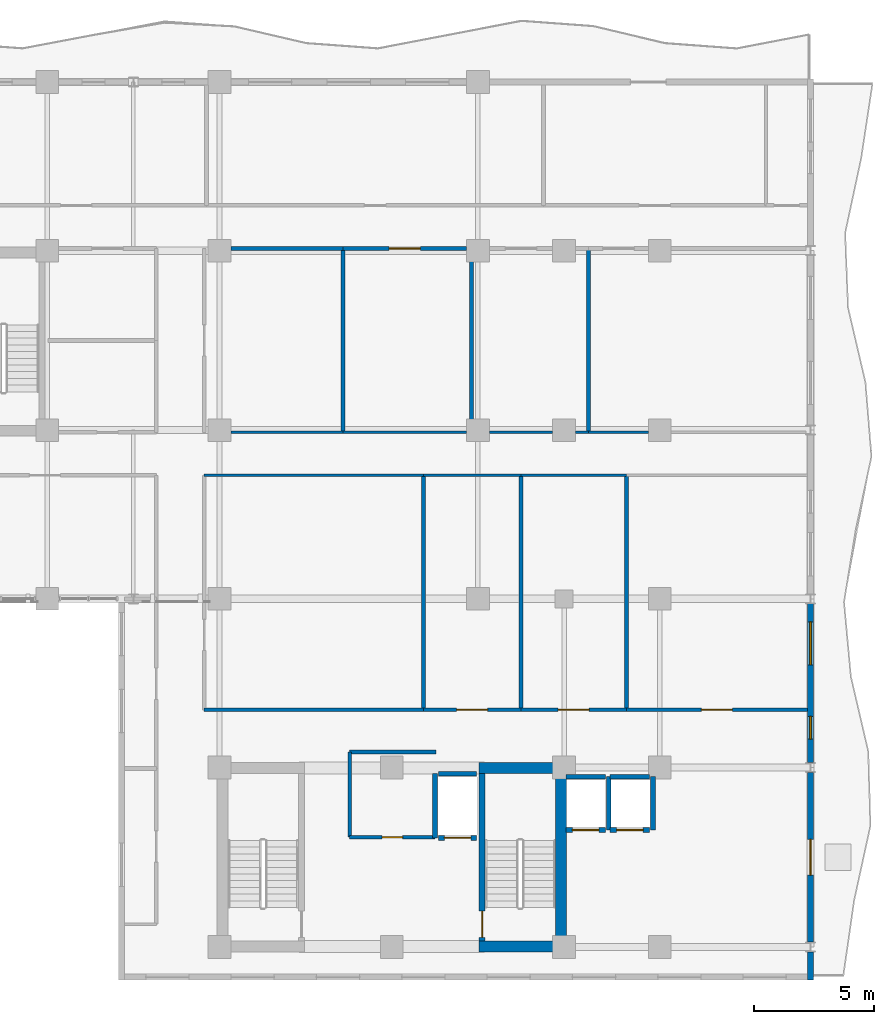
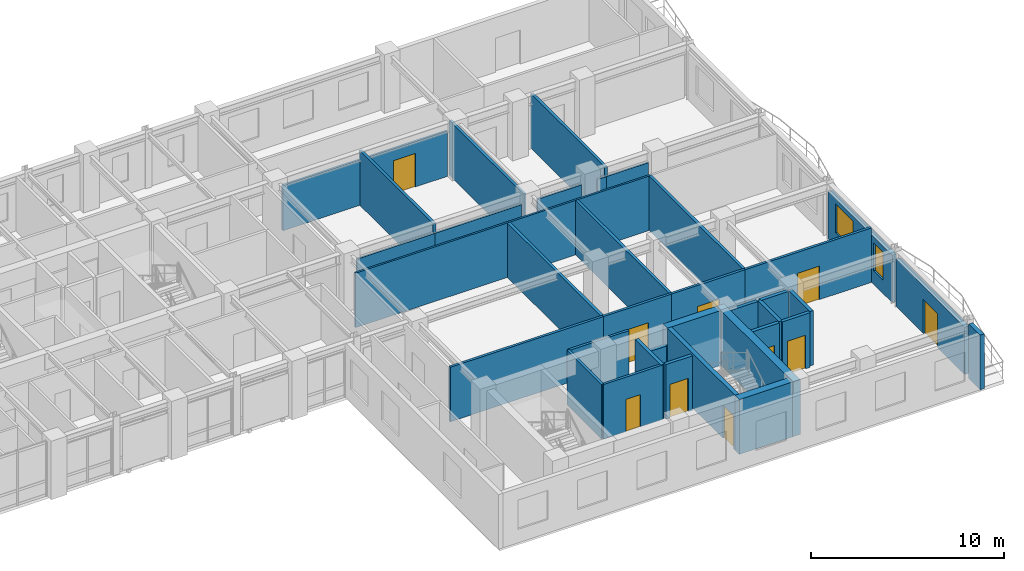
# One storey, part 10 of 16: 39 walls, 10 doors, 2 windows, 12 openings.
"""IFC4 building model written with IfcOpenShell, lengths in metres."""

from ifc_helpers import new_model, si_unit, direction, frame, frame_2d, origin, place, context, subcontext, project, spatial, rectangle, extrude, material, layer, layer_set, type_object, element, fill, save


model = new_model("IFC4")

# Units and contexts
model_context = context("Model", 3, precision=1e-05, world=origin(), true_north=direction((0.0, 1.0)))
body_context = subcontext(model_context, "Body", "Model", "MODEL_VIEW")
ifc_project = project(units=[si_unit("LENGTHUNIT", "METRE"), si_unit("AREAUNIT", "SQUARE_METRE"), si_unit("VOLUMEUNIT", "CUBIC_METRE"), si_unit("PLANEANGLEUNIT", "RADIAN"), si_unit("MASSUNIT", "GRAM", prefix="KILO")], contexts=[model_context])

# Site, building, storey
site_placement = place(None, origin())
site = spatial("IfcSite", under=ifc_project, at=site_placement, CompositionType="ELEMENT")
building_placement = place(site_placement, origin())
building = spatial("IfcBuilding", under=site, at=building_placement, Name="Kaliganga Portal Commons", CompositionType="ELEMENT")
storey_placement = place(building_placement, frame((0.0, 0.0, 205.5)))
storey = spatial("IfcBuildingStorey", under=building, at=storey_placement, Name="L52", CompositionType="ELEMENT", Elevation=205.5)

# Walls
ifc_material_1 = material(Name="Concrete C60/75", Category="concrete")
ifc_layer_1 = layer(ifc_material_1, 0.449951171875)
ifc_layer_set_1 = layer_set([ifc_layer_1], Name="Concrete C60/75")
wall_type_1 = type_object("IfcWallType", Name="WL-CORE-450", PredefinedType="SHEAR", material=ifc_layer_set_1)
wall_1_placement = place(storey_placement, frame((50.27490234375, 6.85009765625, 0.0), z_axis=(0.0, 0.0, 1.0), x_axis=(0.0, 1.0, 0.0)))
element("IfcWall", 1, at=wall_1_placement, inside=storey, type_object=wall_type_1, Name="Core B East Shear Wall L52", PredefinedType="SHEAR", context=body_context, shape_type="SweptSolid", body=[
    extrude(rectangle(XDim=7.89990234375, YDim=0.449951171875, at=frame_2d((3.949951171875, 0.0))), origin(), (0.0, 0.0, 1.0), 3.469970703125),
])
for number, where, z_axis, x_axis, name in (
    (2, (46.85009765625, 7.074951171875, 0.0), (0.0, 0.0, 1.0), (1.0, 0.0, 0.0), "Core B S-East Shear Wall L52"),
    (3, (46.85009765625, 14.52490234375, 0.0), (0.0, 0.0, 1.0), (1.0, 0.0, 0.0), "Core B N-East Shear Wall L52"),
):
    element("IfcWall", number, at=place(storey_placement, frame(where, z_axis=z_axis, x_axis=x_axis)), inside=storey, type_object=wall_type_1, Name=name, PredefinedType="SHEAR", context=body_context, shape_type="SweptSolid", body=[
        extrude(rectangle(XDim=3.199951171875, YDim=0.449951171875, at=frame_2d((1.60009765625, 0.0))), origin(), (0.0, 0.0, 1.0), 3.469970703125),
    ])
ifc_material_2 = material(Name="Insulated Aluminium-Clad Spandrel Assembly", Category="aluminium")
ifc_layer_2 = layer(ifc_material_2, 0.260009765625)
ifc_layer_set_2 = layer_set([ifc_layer_2], Name="Insulated Aluminium-Clad Spandrel Assembly")
wall_type_2 = type_object("IfcWallType", Name="WL-EXT-SPAND-260", PredefinedType="STANDARD", material=ifc_layer_set_2)
wall_2_placement = place(storey_placement, frame((60.699951171875, 6.84912109375, 0.0), z_axis=(0.0, 0.0, 1.0), x_axis=(0.0, -1.0, 0.0)))
element("IfcWall", 4, at=wall_2_placement, inside=storey, type_object=wall_type_2, Name="Exterior Envelope Wall L52 P1-E01-S1", PredefinedType="STANDARD", context=body_context, shape_type="SweptSolid", body=[
    extrude(rectangle(XDim=1.17919921875, YDim=0.260009765625, at=frame_2d((0.589599609375, 0.0))), origin(), (0.0, 0.0, 1.0), 3.449951171875),
])

# Wall, opening, door
wall_3_placement = place(storey_placement, frame((60.699951171875, 14.34912109375, 0.0), z_axis=(0.0, 0.0, 1.0), x_axis=(0.0, -1.0, 0.0)))
wall_3 = element("IfcWall", 5, at=wall_3_placement, inside=storey, type_object=wall_type_2, Name="Exterior Envelope Wall L52 P1-E01-S2", PredefinedType="STANDARD", context=body_context, shape_type="SweptSolid", body=[
    extrude(rectangle(XDim=7.09814453125, YDim=0.260009765625, at=frame_2d((3.549072265625, 0.0))), origin(), (0.0, 0.0, 1.0), 3.0),
])
opening_1_placement = place(wall_3_placement, frame((2.799072265625, 0.0, 0.0)))
opening_1 = element("IfcOpeningElement", 6, at=opening_1_placement, cuts=wall_3, Name="Opening BD-01", PredefinedType="OPENING", context=body_context, shape_type="SweptSolid", body=[
    extrude(rectangle(XDim=1.5, YDim=2.14990234375, at=frame_2d((0.75, 1.074951171875))), frame((0.0, 0.14013671875, 0.0), z_axis=(0.0, -1.0, 0.0), x_axis=(1.0, 0.0, 0.0)), (0.0, 0.0, 1.0), 0.280029296875),
])
ifc_material_3 = material(Name="Anodized Aluminium and Laminated Safety Glass", Category="aluminium")
door_type_1 = type_object("IfcDoorType", Name="DR-BALC-1500", OperationType="SLIDING_TO_LEFT", PredefinedType="DOOR", material=ifc_material_3)
door_1_placement = place(opening_1_placement, origin())
door_1 = element("IfcDoor", 7, at=door_1_placement, inside=storey, type_object=door_type_1, Name="Balcony Sliding Door L52 balc_east", OperationType="SLIDING_TO_LEFT", OverallHeight=2.14990234375, OverallWidth=1.5, PredefinedType="DOOR", context=body_context, shape_type="SweptSolid", body=[
    extrude(rectangle(XDim=1.5, YDim=2.14990234375, at=frame_2d((0.75, 1.074951171875))), frame((0.0, 0.02490234375, 0.0), z_axis=(0.0, -1.0, 0.0), x_axis=(1.0, 0.0, 0.0)), (0.0, 0.0, 1.0), 0.050048828125),
])
fill(opening_1, door_1)

# Wall, openings, windows
wall_4_placement = place(storey_placement, frame((60.699951171875, 21.39892578125, 0.0), z_axis=(0.0, 0.0, 1.0), x_axis=(0.0, -1.0, 0.0)))
wall_4 = element("IfcWall", 8, at=wall_4_placement, inside=storey, type_object=wall_type_2, Name="Exterior Envelope Wall L52 P1-E01-S3", PredefinedType="STANDARD", context=body_context, shape_type="SweptSolid", body=[
    extrude(rectangle(XDim=6.64794921875, YDim=0.260009765625, at=frame_2d((3.323974609375, 0.0))), origin(), (0.0, 0.0, 1.0), 3.0),
])
opening_2_placement = place(wall_4_placement, frame((0.761962890625, 0.0, 0.85009765625)))
opening_2 = element("IfcOpeningElement", 9, at=opening_2_placement, cuts=wall_4, Name="Opening W-01", PredefinedType="OPENING", context=body_context, shape_type="SweptSolid", body=[
    extrude(rectangle(XDim=1.800048828125, YDim=1.85009765625, at=frame_2d((0.89990234375, 0.925048828125))), frame((0.0, 0.14013671875, 0.0), z_axis=(0.0, -1.0, 0.0), x_axis=(1.0, 0.0, 0.0)), (0.0, 0.0, 1.0), 0.280029296875),
])
opening_3_placement = place(wall_4_placement, frame((4.71044921875, 0.0, 0.85009765625)))
opening_3 = element("IfcOpeningElement", 10, at=opening_3_placement, cuts=wall_4, Name="Opening W-04", PredefinedType="OPENING", context=body_context, shape_type="SweptSolid", body=[
    extrude(rectangle(XDim=0.949951171875, YDim=1.75, at=frame_2d((0.47509765625, 0.875))), frame((0.0, 0.14013671875, 0.0), z_axis=(0.0, -1.0, 0.0), x_axis=(1.0, 0.0, 0.0)), (0.0, 0.0, 1.0), 0.280029296875),
])
ifc_material_4 = material(Name="Thermally Broken Aluminium and Low-E Double Glazing", Category="aluminium")
window_type_1 = type_object("IfcWindowType", Name="WIN-NARROW-950", PartitioningType="SINGLE_PANEL", PredefinedType="WINDOW", material=ifc_material_4)
window_1_placement = place(opening_3_placement, origin())
window_1 = element("IfcWindow", 11, at=window_1_placement, inside=storey, type_object=window_type_1, Name="Facade Window L52-P1E01S3-N10", OverallHeight=1.75, OverallWidth=0.949951171875, PartitioningType="SINGLE_PANEL", PredefinedType="WINDOW", context=body_context, shape_type="SweptSolid", body=[
    extrude(rectangle(XDim=0.949951171875, YDim=1.75, at=frame_2d((0.47509765625, 0.875))), frame((0.0, 0.030029296875, 0.0), z_axis=(0.0, -1.0, 0.0), x_axis=(1.0, 0.0, 0.0)), (0.0, 0.0, 1.0), 0.06005859375),
])
fill(opening_3, window_1)
window_type_2 = type_object("IfcWindowType", Name="WIN-STD-1800", PartitioningType="DOUBLE_PANEL_VERTICAL", PredefinedType="WINDOW", material=ifc_material_4)
window_2_placement = place(opening_2_placement, origin())
window_2 = element("IfcWindow", 12, at=window_2_placement, inside=storey, type_object=window_type_2, Name="Facade Window L52-P1E01S3-00", OverallHeight=1.85009765625, OverallWidth=1.800048828125, PartitioningType="SINGLE_PANEL", PredefinedType="WINDOW", context=body_context, shape_type="SweptSolid", body=[
    extrude(rectangle(XDim=1.800048828125, YDim=1.85009765625, at=frame_2d((0.89990234375, 0.925048828125))), frame((0.0, 0.030029296875, 0.0), z_axis=(0.0, -1.0, 0.0), x_axis=(1.0, 0.0, 0.0)), (0.0, 0.0, 1.0), 0.06005859375),
])
fill(opening_2, window_2)

# Wall
ifc_material_5 = material(Name="Fire-Rated Gypsum Board on Steel Stud", Category="steel")
ifc_layer_3 = layer(ifc_material_5, 0.14990234375)
ifc_layer_set_3 = layer_set([ifc_layer_3], Name="Fire-Rated Gypsum Board on Steel Stud")
wall_type_3 = type_object("IfcWallType", Name="WL-PART-CORR-150", PredefinedType="PARTITIONING", material=ifc_layer_set_3)
wall_5_placement = place(storey_placement, frame((35.360107421875, 16.9599609375, 0.0), z_axis=(0.0, 0.0, 1.0), x_axis=(1.0, 0.0, 0.0)))
element("IfcWall", 13, at=wall_5_placement, inside=storey, type_object=wall_type_3, Name="Interior Partition L52-014", PredefinedType="PARTITIONING", context=body_context, shape_type="SweptSolid", body=[
    extrude(rectangle(XDim=9.159912109375, YDim=0.14990234375, at=frame_2d((4.580078125, 0.0))), origin(), (0.0, 0.0, 1.0), 3.449951171875),
])

# Wall, opening, door
wall_6_placement = place(storey_placement, frame((53.0, 16.9599609375, 0.0), z_axis=(0.0, 0.0, 1.0), x_axis=(1.0, 0.0, 0.0)))
wall_6 = element("IfcWall", 14, at=wall_6_placement, inside=storey, type_object=wall_type_3, Name="Interior Partition L52-017", PredefinedType="PARTITIONING", context=body_context, shape_type="SweptSolid", body=[
    extrude(rectangle(XDim=7.568115234375, YDim=0.14990234375, at=frame_2d((3.7841796875, 0.0))), origin(), (0.0, 0.0, 1.0), 3.449951171875),
])
opening_4_placement = place(wall_6_placement, frame((3.134033203125, 0.0, 0.0)))
opening_4 = element("IfcOpeningElement", 15, at=opening_4_placement, cuts=wall_6, Name="Opening RD-03", PredefinedType="OPENING", context=body_context, shape_type="SweptSolid", body=[
    extrude(rectangle(XDim=1.300048828125, YDim=2.1201171875, at=frame_2d((0.64990234375, 1.06005859375))), frame((0.0, 0.0849609375, 0.0), z_axis=(0.0, -1.0, 0.0), x_axis=(1.0, 0.0, 0.0)), (0.0, 0.0, 1.0), 0.169921875),
])
ifc_material_6 = material(Name="Glazed Timber Seminar Vision Door", Category="wood")
door_type_2 = type_object("IfcDoorType", Name="DR-STUDY-1300", OperationType="DOUBLE_DOOR_SINGLE_SWING", PredefinedType="DOOR", material=ifc_material_6)
door_2_placement = place(opening_4_placement, origin())
door_2 = element("IfcDoor", 16, at=door_2_placement, inside=storey, type_object=door_type_2, Name="Interior Door L52-BM03", OperationType="DOUBLE_DOOR_SINGLE_SWING", OverallHeight=2.1201171875, OverallWidth=1.300048828125, PredefinedType="DOOR", context=body_context, shape_type="SweptSolid", body=[
    extrude(rectangle(XDim=1.300048828125, YDim=2.1201171875, at=frame_2d((0.64990234375, 1.06005859375))), frame((0.0, 0.02490234375, 0.0), z_axis=(0.0, -1.0, 0.0), x_axis=(1.0, 0.0, 0.0)), (0.0, 0.0, 1.0), 0.050048828125),
])
fill(opening_4, door_2)

# Wall
wall_7_placement = place(storey_placement, frame((36.47509765625, 36.239990234375, 0.0), z_axis=(0.0, 0.0, 1.0), x_axis=(1.0, 0.0, 0.0)))
element("IfcWall", 17, at=wall_7_placement, inside=storey, type_object=wall_type_3, Name="Interior Partition L52-022", PredefinedType="PARTITIONING", context=body_context, shape_type="SweptSolid", body=[
    extrude(rectangle(XDim=4.684814453125, YDim=0.14990234375, at=frame_2d((2.34228515625, 0.0))), origin(), (0.0, 0.0, 1.0), 2.85009765625),
])

# Wall, opening, door
wall_8_placement = place(storey_placement, frame((41.159912109375, 36.239990234375, 0.0), z_axis=(0.0, 0.0, 1.0), x_axis=(1.0, 0.0, 0.0)))
wall_8 = element("IfcWall", 18, at=wall_8_placement, inside=storey, type_object=wall_type_3, Name="Interior Partition L52-023", PredefinedType="PARTITIONING", context=body_context, shape_type="SweptSolid", body=[
    extrude(rectangle(XDim=5.1650390625, YDim=0.14990234375, at=frame_2d((2.58251953125, 0.0))), origin(), (0.0, 0.0, 1.0), 2.85009765625),
])
opening_5_placement = place(wall_8_placement, frame((1.9326171875, 0.0, 0.0)))
opening_5 = element("IfcOpeningElement", 19, at=opening_5_placement, cuts=wall_8, Name="Opening RD-03", PredefinedType="OPENING", context=body_context, shape_type="SweptSolid", body=[
    extrude(rectangle(XDim=1.300048828125, YDim=2.1201171875, at=frame_2d((0.64990234375, 1.06005859375))), frame((0.0, 0.0849609375, 0.0), z_axis=(0.0, -1.0, 0.0), x_axis=(1.0, 0.0, 0.0)), (0.0, 0.0, 1.0), 0.169921875),
])
door_3_placement = place(opening_5_placement, origin())
door_3 = element("IfcDoor", 20, at=door_3_placement, inside=storey, type_object=door_type_2, Name="Interior Door L52-BK02", OperationType="DOUBLE_DOOR_SINGLE_SWING", OverallHeight=2.1201171875, OverallWidth=1.300048828125, PredefinedType="DOOR", context=body_context, shape_type="SweptSolid", body=[
    extrude(rectangle(XDim=1.300048828125, YDim=2.1201171875, at=frame_2d((0.64990234375, 1.06005859375))), frame((0.0, 0.02490234375, 0.0), z_axis=(0.0, -1.0, 0.0), x_axis=(1.0, 0.0, 0.0)), (0.0, 0.0, 1.0), 0.050048828125),
])
fill(opening_5, door_3)

wall_9_placement = place(storey_placement, frame((48.60009765625, 16.9599609375, 0.0), z_axis=(0.0, 0.0, 1.0), x_axis=(1.0, 0.0, 0.0)))
wall_9 = element("IfcWall", 21, at=wall_9_placement, inside=storey, type_object=wall_type_3, Name="Interior Partition L52-029", PredefinedType="PARTITIONING", context=body_context, shape_type="SweptSolid", body=[
    extrude(rectangle(XDim=4.39990234375, YDim=0.14990234375, at=frame_2d((2.199951171875, 0.0))), origin(), (0.0, 0.0, 1.0), 3.449951171875),
])
opening_6_placement = place(wall_9_placement, frame((1.550048828125, 0.0, 0.0)))
opening_6 = element("IfcOpeningElement", 22, at=opening_6_placement, cuts=wall_9, Name="Opening RD-03", PredefinedType="OPENING", context=body_context, shape_type="SweptSolid", body=[
    extrude(rectangle(XDim=1.300048828125, YDim=2.1201171875, at=frame_2d((0.64990234375, 1.06005859375))), frame((0.0, 0.0849609375, 0.0), z_axis=(0.0, -1.0, 0.0), x_axis=(1.0, 0.0, 0.0)), (0.0, 0.0, 1.0), 0.169921875),
])
door_4_placement = place(opening_6_placement, origin())
door_4 = element("IfcDoor", 23, at=door_4_placement, inside=storey, type_object=door_type_2, Name="Interior Door L52-BM02B", OperationType="DOUBLE_DOOR_SINGLE_SWING", OverallHeight=2.1201171875, OverallWidth=1.300048828125, PredefinedType="DOOR", context=body_context, shape_type="SweptSolid", body=[
    extrude(rectangle(XDim=1.300048828125, YDim=2.1201171875, at=frame_2d((0.64990234375, 1.06005859375))), frame((0.0, 0.02490234375, 0.0), z_axis=(0.0, -1.0, 0.0), x_axis=(1.0, 0.0, 0.0)), (0.0, 0.0, 1.0), 0.050048828125),
])
fill(opening_6, door_4)

wall_10_placement = place(storey_placement, frame((44.52001953125, 16.9599609375, 0.0), z_axis=(0.0, 0.0, 1.0), x_axis=(1.0, 0.0, 0.0)))
wall_10 = element("IfcWall", 24, at=wall_10_placement, inside=storey, type_object=wall_type_3, Name="Interior Partition L52-031", PredefinedType="PARTITIONING", context=body_context, shape_type="SweptSolid", body=[
    extrude(rectangle(XDim=4.080078125, YDim=0.14990234375, at=frame_2d((2.0400390625, 0.0))), origin(), (0.0, 0.0, 1.0), 3.449951171875),
])
opening_7_placement = place(wall_10_placement, frame((1.389892578125, 0.0, 0.0)))
opening_7 = element("IfcOpeningElement", 25, at=opening_7_placement, cuts=wall_10, Name="Opening RD-03", PredefinedType="OPENING", context=body_context, shape_type="SweptSolid", body=[
    extrude(rectangle(XDim=1.300048828125, YDim=2.1201171875, at=frame_2d((0.64990234375, 1.06005859375))), frame((0.0, 0.0849609375, 0.0), z_axis=(0.0, -1.0, 0.0), x_axis=(1.0, 0.0, 0.0)), (0.0, 0.0, 1.0), 0.169921875),
])
door_5_placement = place(opening_7_placement, origin())
door_5 = element("IfcDoor", 26, at=door_5_placement, inside=storey, type_object=door_type_2, Name="Interior Door L52-BM02", OperationType="DOUBLE_DOOR_SINGLE_SWING", OverallHeight=2.1201171875, OverallWidth=1.300048828125, PredefinedType="DOOR", context=body_context, shape_type="SweptSolid", body=[
    extrude(rectangle(XDim=1.300048828125, YDim=2.1201171875, at=frame_2d((0.64990234375, 1.06005859375))), frame((0.0, 0.02490234375, 0.0), z_axis=(0.0, -1.0, 0.0), x_axis=(1.0, 0.0, 0.0)), (0.0, 0.0, 1.0), 0.050048828125),
])
fill(opening_7, door_5)

wall_11_placement = place(storey_placement, frame((41.43994140625, 11.639892578125, 0.0), z_axis=(0.0, 0.0, 1.0), x_axis=(1.0, 0.0, 0.0)))
wall_11 = element("IfcWall", 27, at=wall_11_placement, inside=storey, type_object=wall_type_3, Name="Interior Partition L52-036", PredefinedType="PARTITIONING", context=body_context, shape_type="SweptSolid", body=[
    extrude(rectangle(XDim=3.570068359375, YDim=0.14990234375, at=frame_2d((1.78515625, 0.0))), origin(), (0.0, 0.0, 1.0), 3.449951171875),
])
opening_8_placement = place(wall_11_placement, frame((1.360107421875, 0.0, 0.0)))
opening_8 = element("IfcOpeningElement", 28, at=opening_8_placement, cuts=wall_11, Name="Opening WD-01", PredefinedType="OPENING", context=body_context, shape_type="SweptSolid", body=[
    extrude(rectangle(XDim=0.85009765625, YDim=2.0400390625, at=frame_2d((0.425048828125, 1.02001953125))), frame((0.0, 0.0849609375, 0.0), z_axis=(0.0, -1.0, 0.0), x_axis=(1.0, 0.0, 0.0)), (0.0, 0.0, 1.0), 0.169921875),
])
ifc_material_7 = material(Name="Moisture-Resistant Laminate Timber Door", Category="wood")
door_type_3 = type_object("IfcDoorType", Name="DR-WET-850", OperationType="NOTDEFINED", PredefinedType="DOOR", material=ifc_material_7)
door_6_placement = place(opening_8_placement, origin())
door_6 = element("IfcDoor", 29, at=door_6_placement, inside=storey, type_object=door_type_3, Name="Interior Door L52-CREC_B1", OperationType="SINGLE_SWING_LEFT", OverallHeight=2.0400390625, OverallWidth=0.85009765625, PredefinedType="DOOR", context=body_context, shape_type="SweptSolid", body=[
    extrude(rectangle(XDim=0.85009765625, YDim=2.0400390625, at=frame_2d((0.425048828125, 1.02001953125))), frame((0.0, 0.02490234375, 0.0), z_axis=(0.0, -1.0, 0.0), x_axis=(1.0, 0.0, 0.0)), (0.0, 0.0, 1.0), 0.050048828125),
])
fill(opening_8, door_6)

# Walls
wall_12_placement = place(storey_placement, frame((41.43994140625, 15.199951171875, 0.0), z_axis=(0.0, 0.0, 1.0), x_axis=(1.0, 0.0, 0.0)))
element("IfcWall", 30, at=wall_12_placement, inside=storey, type_object=wall_type_3, Name="Interior Partition L52-037", PredefinedType="PARTITIONING", context=body_context, shape_type="SweptSolid", body=[
    extrude(rectangle(XDim=3.60009765625, YDim=0.14990234375, at=frame_2d((1.800048828125, 0.0))), origin(), (0.0, 0.0, 1.0), 3.449951171875),
])
wall_13_placement = place(storey_placement, frame((41.43994140625, 11.639892578125, 0.0), z_axis=(0.0, 0.0, 1.0), x_axis=(0.0, 1.0, 0.0)))
element("IfcWall", 31, at=wall_13_placement, inside=storey, type_object=wall_type_3, Name="Interior Partition L52-038", PredefinedType="PARTITIONING", context=body_context, shape_type="SweptSolid", body=[
    extrude(rectangle(XDim=3.56005859375, YDim=0.14990234375, at=frame_2d((1.780029296875, 0.0))), origin(), (0.0, 0.0, 1.0), 3.449951171875),
])
ifc_material_8 = material(Name="Moisture-Resistant Gypsum Partition", Category="gypsum")
ifc_layer_4 = layer(ifc_material_8, 0.114990234375)
ifc_layer_set_4 = layer_set([ifc_layer_4], Name="Moisture-Resistant Gypsum Partition")
wall_type_4 = type_object("IfcWallType", Name="WL-PART-ROOM-115", PredefinedType="PARTITIONING", material=ifc_layer_set_4)
wall_14_placement = place(storey_placement, frame((51.419921875, 28.56005859375, 0.0), z_axis=(0.0, 0.0, 1.0), x_axis=(1.0, 0.0, 0.0)))
element("IfcWall", 32, at=wall_14_placement, inside=storey, type_object=wall_type_4, Name="Interior Partition L52-049", PredefinedType="PARTITIONING", context=body_context, shape_type="SweptSolid", body=[
    extrude(rectangle(XDim=2.505126953125, YDim=0.114990234375, at=frame_2d((1.25244140625, 0.0))), origin(), (0.0, 0.0, 1.0), 2.85009765625),
])
wall_15_placement = place(storey_placement, frame((35.360107421875, 26.760009765625, 0.0), z_axis=(0.0, 0.0, 1.0), x_axis=(1.0, 0.0, 0.0)))
element("IfcWall", 33, at=wall_15_placement, inside=storey, type_object=wall_type_4, Name="Interior Partition L52-051", PredefinedType="PARTITIONING", context=body_context, shape_type="SweptSolid", body=[
    extrude(rectangle(XDim=9.159912109375, YDim=0.114990234375, at=frame_2d((4.580078125, 0.0))), origin(), (0.0, 0.0, 1.0), 3.449951171875),
])
wall_16_placement = place(storey_placement, frame((36.47509765625, 28.56005859375, 0.0), z_axis=(0.0, 0.0, 1.0), x_axis=(1.0, 0.0, 0.0)))
element("IfcWall", 34, at=wall_16_placement, inside=storey, type_object=wall_type_4, Name="Interior Partition L52-056", PredefinedType="PARTITIONING", context=body_context, shape_type="SweptSolid", body=[
    extrude(rectangle(XDim=4.684814453125, YDim=0.114990234375, at=frame_2d((2.34228515625, 0.0))), origin(), (0.0, 0.0, 1.0), 2.85009765625),
])
wall_17_placement = place(storey_placement, frame((41.159912109375, 28.56005859375, 0.0), z_axis=(0.0, 0.0, 1.0), x_axis=(1.0, 0.0, 0.0)))
element("IfcWall", 35, at=wall_17_placement, inside=storey, type_object=wall_type_4, Name="Interior Partition L52-057", PredefinedType="PARTITIONING", context=body_context, shape_type="SweptSolid", body=[
    extrude(rectangle(XDim=5.1650390625, YDim=0.114990234375, at=frame_2d((2.58251953125, 0.0))), origin(), (0.0, 0.0, 1.0), 2.85009765625),
])
wall_18_placement = place(storey_placement, frame((47.27490234375, 28.56005859375, 0.0), z_axis=(0.0, 0.0, 1.0), x_axis=(1.0, 0.0, 0.0)))
element("IfcWall", 36, at=wall_18_placement, inside=storey, type_object=wall_type_4, Name="Interior Partition L52-065", PredefinedType="PARTITIONING", context=body_context, shape_type="SweptSolid", body=[
    extrude(rectangle(XDim=2.650146484375, YDim=0.114990234375, at=frame_2d((1.3251953125, 0.0))), origin(), (0.0, 0.0, 1.0), 2.85009765625),
])
wall_19_placement = place(storey_placement, frame((50.875, 28.56005859375, 0.0), z_axis=(0.0, 0.0, 1.0), x_axis=(1.0, 0.0, 0.0)))
element("IfcWall", 37, at=wall_19_placement, inside=storey, type_object=wall_type_4, Name="Interior Partition L52-066", PredefinedType="PARTITIONING", context=body_context, shape_type="SweptSolid", body=[
    extrude(rectangle(XDim=0.544921875, YDim=0.114990234375, at=frame_2d((0.2724609375, 0.0))), origin(), (0.0, 0.0, 1.0), 2.85009765625),
])
wall_20_placement = place(storey_placement, frame((48.60009765625, 26.760009765625, 0.0), z_axis=(0.0, 0.0, 1.0), x_axis=(1.0, 0.0, 0.0)))
element("IfcWall", 38, at=wall_20_placement, inside=storey, type_object=wall_type_4, Name="Interior Partition L52-069", PredefinedType="PARTITIONING", context=body_context, shape_type="SweptSolid", body=[
    extrude(rectangle(XDim=4.39990234375, YDim=0.114990234375, at=frame_2d((2.199951171875, 0.0))), origin(), (0.0, 0.0, 1.0), 3.449951171875),
])
wall_21_placement = place(storey_placement, frame((44.52001953125, 26.760009765625, 0.0), z_axis=(0.0, 0.0, 1.0), x_axis=(1.0, 0.0, 0.0)))
element("IfcWall", 39, at=wall_21_placement, inside=storey, type_object=wall_type_4, Name="Interior Partition L52-070", PredefinedType="PARTITIONING", context=body_context, shape_type="SweptSolid", body=[
    extrude(rectangle(XDim=4.080078125, YDim=0.114990234375, at=frame_2d((2.0400390625, 0.0))), origin(), (0.0, 0.0, 1.0), 3.449951171875),
])
ifc_material_9 = material(Name="Twin-Stud Acoustic Gypsum Partition", Category="gypsum")
ifc_layer_5 = layer(ifc_material_9, 0.1650390625)
ifc_layer_set_5 = layer_set([ifc_layer_5], Name="Twin-Stud Acoustic Gypsum Partition")
wall_type_5 = type_object("IfcWallType", Name="WL-PART-UNIT-165", PredefinedType="PARTITIONING", material=ifc_layer_set_5)
for number, where, z_axis, x_axis, name in (
    (40, (44.52001953125, 16.9599609375, 0.0), (0.0, 0.0, 1.0), (0.0, 1.0, 0.0), "Interior Partition L52-046"),
    (41, (48.60009765625, 16.9599609375, 0.0), (0.0, 0.0, 1.0), (0.0, 1.0, 0.0), "Interior Partition L52-047"),
    (42, (53.0, 16.9599609375, 0.0), (0.0, 0.0, 1.0), (0.0, 1.0, 0.0), "Interior Partition L52-048"),
):
    element("IfcWall", number, at=place(storey_placement, frame(where, z_axis=z_axis, x_axis=x_axis)), inside=storey, type_object=wall_type_5, Name=name, PredefinedType="PARTITIONING", context=body_context, shape_type="SweptSolid", body=[
        extrude(rectangle(XDim=9.800048828125, YDim=0.1650390625, at=frame_2d((4.89990234375, 0.0))), origin(), (0.0, 0.0, 1.0), 3.449951171875),
    ])
for number, where, z_axis, x_axis, name in (
    (43, (41.159912109375, 28.56005859375, 0.0), (0.0, 0.0, 1.0), (0.0, 1.0, 0.0), "Interior Partition L52-053"),
    (44, (46.5400390625, 28.56005859375, 0.0), (0.0, 0.0, 1.0), (0.0, 1.0, 0.0), "Interior Partition L52-054"),
    (45, (51.419921875, 28.56005859375, 0.0), (0.0, 0.0, 1.0), (0.0, 1.0, 0.0), "Interior Partition L52-055"),
):
    element("IfcWall", number, at=place(storey_placement, frame(where, z_axis=z_axis, x_axis=x_axis)), inside=storey, type_object=wall_type_5, Name=name, PredefinedType="PARTITIONING", context=body_context, shape_type="SweptSolid", body=[
        extrude(rectangle(XDim=7.679931640625, YDim=0.1650390625, at=frame_2d((3.83984375, 0.0))), origin(), (0.0, 0.0, 1.0), 3.449951171875),
    ])

# Wall, opening, door
ifc_material_10 = material(Name="Fire-Rated Shaftwall Masonry Assembly", Category="masonry")
ifc_layer_6 = layer(ifc_material_10, 0.199951171875)
ifc_layer_set_6 = layer_set([ifc_layer_6], Name="Fire-Rated Shaftwall Masonry Assembly")
wall_type_6 = type_object("IfcWallType", Name="WL-SHAFT-200", PredefinedType="PARTITIONING", material=ifc_layer_set_6)
wall_22_placement = place(storey_placement, frame((50.47509765625, 11.93505859375, 0.0), z_axis=(0.0, 0.0, 1.0), x_axis=(1.0, 0.0, 0.0)))
wall_22 = element("IfcWall", 46, at=wall_22_placement, inside=storey, type_object=wall_type_6, Name="Lift PL-B3 Hoistway Shaft Wall L52-S", PredefinedType="PARTITIONING", context=body_context, shape_type="SweptSolid", body=[
    extrude(rectangle(XDim=1.64990234375, YDim=0.199951171875, at=frame_2d((0.824951171875, 0.0))), origin(), (0.0, 0.0, 1.0), 3.449951171875),
])
opening_9_placement = place(wall_22_placement, frame((0.27490234375, 0.0, 0.0)))
opening_9 = element("IfcOpeningElement", 47, at=opening_9_placement, cuts=wall_22, Name="Opening LD-01", PredefinedType="OPENING", context=body_context, shape_type="SweptSolid", body=[
    extrude(rectangle(XDim=1.10009765625, YDim=2.1201171875, at=frame_2d((0.550048828125, 1.06005859375))), frame((0.0, 0.10986328125, 0.0), z_axis=(0.0, -1.0, 0.0), x_axis=(1.0, 0.0, 0.0)), (0.0, 0.0, 1.0), 0.219970703125),
])
ifc_material_11 = material(Name="Brushed Stainless Steel 316 Lift Landing Door", Category="steel")
door_type_4 = type_object("IfcDoorType", Name="DR-LIFT-1100", OperationType="SLIDING_TO_LEFT", PredefinedType="DOOR", material=ifc_material_11)
door_7_placement = place(opening_9_placement, origin())
door_7 = element("IfcDoor", 48, at=door_7_placement, inside=storey, type_object=door_type_4, Name="Lift PL-B3 Sliding Landing Door L52", OperationType="SLIDING_TO_LEFT", OverallHeight=2.1201171875, OverallWidth=1.10009765625, PredefinedType="DOOR", context=body_context, shape_type="SweptSolid", body=[
    extrude(rectangle(XDim=1.10009765625, YDim=2.1201171875, at=frame_2d((0.550048828125, 1.06005859375))), frame((0.0, 0.02490234375, 0.0), z_axis=(0.0, -1.0, 0.0), x_axis=(1.0, 0.0, 0.0)), (0.0, 0.0, 1.0), 0.050048828125),
])
fill(opening_9, door_7)

# Walls
wall_23_placement = place(storey_placement, frame((50.47509765625, 14.1650390625, 0.0), z_axis=(0.0, 0.0, 1.0), x_axis=(1.0, 0.0, 0.0)))
element("IfcWall", 49, at=wall_23_placement, inside=storey, type_object=wall_type_6, Name="Lift PL-B3 Hoistway Shaft Wall L52-N", PredefinedType="PARTITIONING", context=body_context, shape_type="SweptSolid", body=[
    extrude(rectangle(XDim=1.64990234375, YDim=0.199951171875, at=frame_2d((0.824951171875, 0.0))), origin(), (0.0, 0.0, 1.0), 3.449951171875),
])
wall_24_placement = place(storey_placement, frame((52.264892578125, 11.93505859375, 0.0), z_axis=(0.0, 0.0, 1.0), x_axis=(0.0, 1.0, 0.0)))
element("IfcWall", 50, at=wall_24_placement, inside=storey, type_object=wall_type_6, Name="Lift PL-B3 Hoistway Shaft Wall L52-E", PredefinedType="PARTITIONING", context=body_context, shape_type="SweptSolid", body=[
    extrude(rectangle(XDim=2.22998046875, YDim=0.199951171875, at=frame_2d((1.114990234375, 0.0))), origin(), (0.0, 0.0, 1.0), 3.449951171875),
])

# Wall, opening, door
wall_25_placement = place(storey_placement, frame((52.324951171875, 11.93505859375, 0.0), z_axis=(0.0, 0.0, 1.0), x_axis=(1.0, 0.0, 0.0)))
wall_25 = element("IfcWall", 51, at=wall_25_placement, inside=storey, type_object=wall_type_6, Name="Lift PL-B4 Hoistway Shaft Wall L52-S", PredefinedType="PARTITIONING", context=body_context, shape_type="SweptSolid", body=[
    extrude(rectangle(XDim=1.650146484375, YDim=0.199951171875, at=frame_2d((0.8251953125, 0.0))), origin(), (0.0, 0.0, 1.0), 3.449951171875),
])
opening_10_placement = place(wall_25_placement, frame((0.27490234375, 0.0, 0.0)))
opening_10 = element("IfcOpeningElement", 52, at=opening_10_placement, cuts=wall_25, Name="Opening LD-01", PredefinedType="OPENING", context=body_context, shape_type="SweptSolid", body=[
    extrude(rectangle(XDim=1.10009765625, YDim=2.1201171875, at=frame_2d((0.550048828125, 1.06005859375))), frame((0.0, 0.10986328125, 0.0), z_axis=(0.0, -1.0, 0.0), x_axis=(1.0, 0.0, 0.0)), (0.0, 0.0, 1.0), 0.219970703125),
])
door_8_placement = place(opening_10_placement, origin())
door_8 = element("IfcDoor", 53, at=door_8_placement, inside=storey, type_object=door_type_4, Name="Lift PL-B4 Sliding Landing Door L52", OperationType="SLIDING_TO_LEFT", OverallHeight=2.1201171875, OverallWidth=1.10009765625, PredefinedType="DOOR", context=body_context, shape_type="SweptSolid", body=[
    extrude(rectangle(XDim=1.10009765625, YDim=2.1201171875, at=frame_2d((0.550048828125, 1.06005859375))), frame((0.0, 0.02490234375, 0.0), z_axis=(0.0, -1.0, 0.0), x_axis=(1.0, 0.0, 0.0)), (0.0, 0.0, 1.0), 0.050048828125),
])
fill(opening_10, door_8)

# Walls
wall_26_placement = place(storey_placement, frame((52.324951171875, 14.1650390625, 0.0), z_axis=(0.0, 0.0, 1.0), x_axis=(1.0, 0.0, 0.0)))
element("IfcWall", 54, at=wall_26_placement, inside=storey, type_object=wall_type_6, Name="Lift PL-B4 Hoistway Shaft Wall L52-N", PredefinedType="PARTITIONING", context=body_context, shape_type="SweptSolid", body=[
    extrude(rectangle(XDim=1.650146484375, YDim=0.199951171875, at=frame_2d((0.8251953125, 0.0))), origin(), (0.0, 0.0, 1.0), 3.449951171875),
])
wall_27_placement = place(storey_placement, frame((54.114990234375, 11.93505859375, 0.0), z_axis=(0.0, 0.0, 1.0), x_axis=(0.0, 1.0, 0.0)))
element("IfcWall", 55, at=wall_27_placement, inside=storey, type_object=wall_type_6, Name="Lift PL-B4 Hoistway Shaft Wall L52-E", PredefinedType="PARTITIONING", context=body_context, shape_type="SweptSolid", body=[
    extrude(rectangle(XDim=2.22998046875, YDim=0.199951171875, at=frame_2d((1.114990234375, 0.0))), origin(), (0.0, 0.0, 1.0), 3.449951171875),
])

# Wall, opening, door
wall_28_placement = place(storey_placement, frame((45.14990234375, 11.610107421875, 0.0), z_axis=(0.0, 0.0, 1.0), x_axis=(1.0, 0.0, 0.0)))
wall_28 = element("IfcWall", 56, at=wall_28_placement, inside=storey, type_object=wall_type_6, Name="Lift SL-B1 Hoistway Shaft Wall L52-S", PredefinedType="PARTITIONING", context=body_context, shape_type="SweptSolid", body=[
    extrude(rectangle(XDim=1.60009765625, YDim=0.199951171875, at=frame_2d((0.800048828125, 0.0))), origin(), (0.0, 0.0, 1.0), 3.449951171875),
])
opening_11_placement = place(wall_28_placement, frame((0.25, 0.0, 0.0)))
opening_11 = element("IfcOpeningElement", 57, at=opening_11_placement, cuts=wall_28, Name="Opening LD-01", PredefinedType="OPENING", context=body_context, shape_type="SweptSolid", body=[
    extrude(rectangle(XDim=1.10009765625, YDim=2.1201171875, at=frame_2d((0.550048828125, 1.06005859375))), frame((0.0, 0.10986328125, 0.0), z_axis=(0.0, -1.0, 0.0), x_axis=(1.0, 0.0, 0.0)), (0.0, 0.0, 1.0), 0.219970703125),
])
door_9_placement = place(opening_11_placement, origin())
door_9 = element("IfcDoor", 58, at=door_9_placement, inside=storey, type_object=door_type_4, Name="Lift SL-B1 Sliding Landing Door L52", OperationType="SLIDING_TO_LEFT", OverallHeight=2.1201171875, OverallWidth=1.10009765625, PredefinedType="DOOR", context=body_context, shape_type="SweptSolid", body=[
    extrude(rectangle(XDim=1.10009765625, YDim=2.1201171875, at=frame_2d((0.550048828125, 1.06005859375))), frame((0.0, 0.02490234375, 0.0), z_axis=(0.0, -1.0, 0.0), x_axis=(1.0, 0.0, 0.0)), (0.0, 0.0, 1.0), 0.050048828125),
])
fill(opening_11, door_9)

# Walls
wall_29_placement = place(storey_placement, frame((45.14990234375, 14.2900390625, 0.0), z_axis=(0.0, 0.0, 1.0), x_axis=(1.0, 0.0, 0.0)))
element("IfcWall", 59, at=wall_29_placement, inside=storey, type_object=wall_type_6, Name="Lift SL-B1 Hoistway Shaft Wall L52-N", PredefinedType="PARTITIONING", context=body_context, shape_type="SweptSolid", body=[
    extrude(rectangle(XDim=1.60009765625, YDim=0.199951171875, at=frame_2d((0.800048828125, 0.0))), origin(), (0.0, 0.0, 1.0), 2.449951171875),
])
wall_30_placement = place(storey_placement, frame((45.010009765625, 11.610107421875, 0.0), z_axis=(0.0, 0.0, 1.0), x_axis=(0.0, 1.0, 0.0)))
element("IfcWall", 60, at=wall_30_placement, inside=storey, type_object=wall_type_6, Name="Lift SL-B1 Hoistway Shaft Wall L52-W", PredefinedType="PARTITIONING", context=body_context, shape_type="SweptSolid", body=[
    extrude(rectangle(XDim=2.679931640625, YDim=0.199951171875, at=frame_2d((1.33984375, 0.0))), origin(), (0.0, 0.0, 1.0), 3.449951171875),
])

# Wall, opening, door
ifc_material_12 = material(Name="Concrete C50/60", Category="concrete")
ifc_layer_7 = layer(ifc_material_12, 0.25)
ifc_layer_set_7 = layer_set([ifc_layer_7], Name="Concrete C50/60")
wall_type_7 = type_object("IfcWallType", Name="WL-STAIR-250", PredefinedType="SHEAR", material=ifc_layer_set_7)
wall_31_placement = place(storey_placement, frame((46.97509765625, 7.300048828125, 0.0), z_axis=(0.0, 0.0, 1.0), x_axis=(0.0, 1.0, 0.0)))
wall_31 = element("IfcWall", 61, at=wall_31_placement, inside=storey, type_object=wall_type_7, Name="Stair B2 Enclosure Shear Wall L52", PredefinedType="SHEAR", context=body_context, shape_type="SweptSolid", body=[
    extrude(rectangle(XDim=7.0, YDim=0.25, at=frame_2d((3.5, 0.0))), origin(), (0.0, 0.0, 1.0), 3.469970703125),
])
opening_12_placement = place(wall_31_placement, frame((0.14990234375, 0.0, 0.0)))
opening_12 = element("IfcOpeningElement", 62, at=opening_12_placement, cuts=wall_31, Name="Opening SD-01", PredefinedType="OPENING", context=body_context, shape_type="SweptSolid", body=[
    extrude(rectangle(XDim=1.10009765625, YDim=2.080078125, at=frame_2d((0.550048828125, 1.0400390625))), frame((0.0, 0.135009765625, 0.0), z_axis=(0.0, -1.0, 0.0), x_axis=(1.0, 0.0, 0.0)), (0.0, 0.0, 1.0), 0.27001953125),
])
ifc_material_13 = material(Name="Galvanized Steel Fire Door Leaf and Frame", Category="steel")
door_type_5 = type_object("IfcDoorType", Name="DR-STAIR-1100", OperationType="NOTDEFINED", PredefinedType="DOOR", material=ifc_material_13)
door_10_placement = place(opening_12_placement, origin())
door_10 = element("IfcDoor", 63, at=door_10_placement, inside=storey, type_object=door_type_5, Name="Protected Stair ST-B2 Fire Door L52", OperationType="SINGLE_SWING_LEFT", OverallHeight=2.080078125, OverallWidth=1.10009765625, PredefinedType="DOOR", context=body_context, shape_type="SweptSolid", body=[
    extrude(rectangle(XDim=1.10009765625, YDim=2.080078125, at=frame_2d((0.550048828125, 1.0400390625))), frame((0.0, 0.02490234375, 0.0), z_axis=(0.0, -1.0, 0.0), x_axis=(1.0, 0.0, 0.0)), (0.0, 0.0, 1.0), 0.050048828125),
])
fill(opening_12, door_10)

save(model, "model.ifc")
